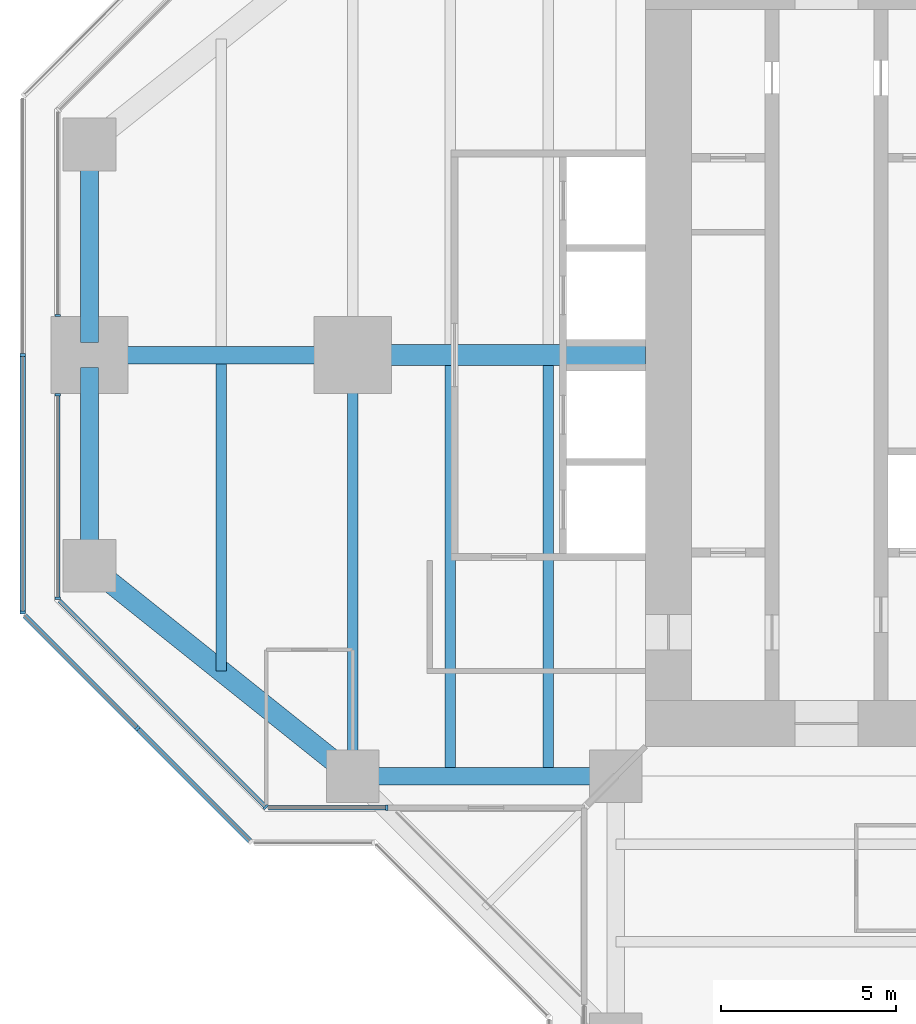
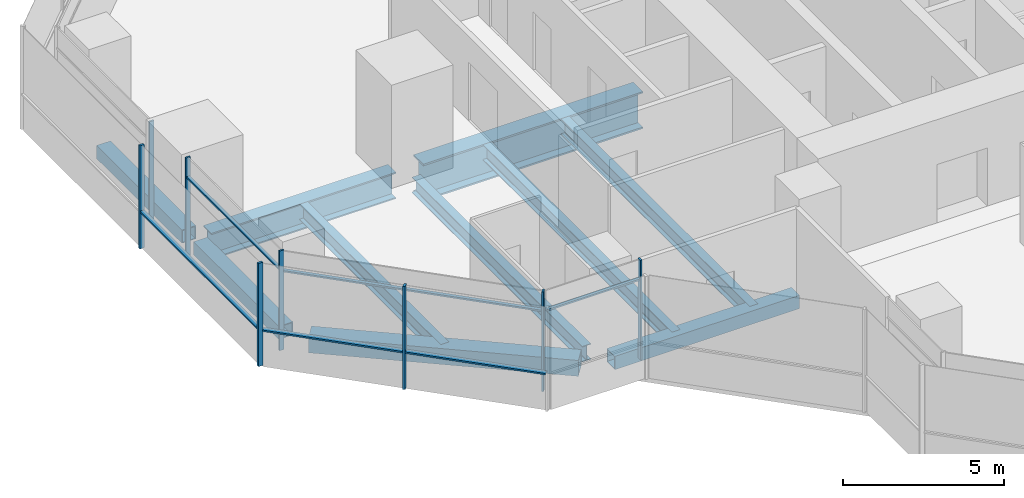
# One storey, part 3 of 17: 14 members, 10 beams, 6 elements without a shape of their own.
"""IFC4 building model written with IfcOpenShell, lengths in metres."""

from ifc_helpers import new_model, si_unit, direction, frame, origin, origin_2d, place, context, subcontext, project, spatial, rectangle, hollow_rectangle, i_section, extrude, material, material_profile, profile_set, type_object, element, aggregate, save


model = new_model("IFC4")

# Units and contexts
model_context = context("Model", 3, precision=1e-05, world=origin(), true_north=direction((0.0, 1.0)))
body_context = subcontext(model_context, "Body", "Model", "MODEL_VIEW")
ifc_project = project(units=[si_unit("LENGTHUNIT", "METRE"), si_unit("AREAUNIT", "SQUARE_METRE"), si_unit("VOLUMEUNIT", "CUBIC_METRE"), si_unit("PLANEANGLEUNIT", "RADIAN"), si_unit("MASSUNIT", "GRAM", prefix="KILO")], contexts=[model_context])

# Site, building, storey
site_placement = place(None, origin())
site = spatial("IfcSite", under=ifc_project, at=site_placement, CompositionType="ELEMENT")
building_placement = place(site_placement, origin())
building = spatial("IfcBuilding", under=site, at=building_placement, Name="Mizan Broadcast Tower", CompositionType="ELEMENT")
storey_placement = place(building_placement, frame((0.0, 0.0, 255.60009765625)))
storey = spatial("IfcBuildingStorey", under=building, at=storey_placement, Name="L60", CompositionType="ELEMENT", Elevation=255.60009765625)

# Beams
ifc_material_1 = material(Name="Steel S355", Category="steel")
ifc_material_profile_1 = material_profile(ifc_material_1, hollow_rectangle(XDim=0.5, YDim=0.5, WallThickness=0.030029296875, at=origin_2d()), Name="BOX 500x500x30")
ifc_profile_set_1 = profile_set([ifc_material_profile_1], Name="Steel S355")
beam_type_1 = type_object("IfcBeamType", Name="EDGE BEAM BOX 500x500x30", PredefinedType="SPANDREL", material=ifc_profile_set_1)
beam_1_placement = place(storey_placement, frame((-27.0, 5.639892578125, -0.380126953125), z_axis=(0.0, -1.0, 0.0), x_axis=(1.0, 0.0, 0.0)))
element("IfcBeam", 1, at=beam_1_placement, inside=storey, type_object=beam_type_1, Name="Edge beam BOX 500x500x30 L60 west arm", PredefinedType="SPANDREL", context=body_context, shape_type="SweptSolid", body=[
    extrude(hollow_rectangle(XDim=0.5, YDim=0.5, WallThickness=0.030029296875, at=origin_2d()), origin(), (0.0, 0.0, 1.0), 5.27978515625),
])
beam_2_placement = place(storey_placement, frame((-12.449951171875, -12.0, -0.380126953125), z_axis=(-1.0, 0.0, 0.0), x_axis=(0.0, -1.0, 0.0)))
element("IfcBeam", 2, at=beam_2_placement, inside=storey, type_object=beam_type_1, Name="Edge beam BOX 500x500x30 L60 west arm", PredefinedType="SPANDREL", context=body_context, shape_type="SweptSolid", body=[
    extrude(hollow_rectangle(XDim=0.5, YDim=0.5, WallThickness=0.030029296875, at=origin_2d()), origin(), (0.0, 0.0, 1.0), 6.60009765625),
])
beam_3_placement = place(storey_placement, frame((-27.0, -5.639892578125, -0.380126953125), z_axis=(0.0, 1.0, 0.0), x_axis=(-1.0, 0.0, 0.0)))
element("IfcBeam", 3, at=beam_3_placement, inside=storey, type_object=beam_type_1, Name="Edge beam BOX 500x500x30 L60 west arm", PredefinedType="SPANDREL", context=body_context, shape_type="SweptSolid", body=[
    extrude(hollow_rectangle(XDim=0.5, YDim=0.5, WallThickness=0.030029296875, at=origin_2d()), origin(), (0.0, 0.0, 1.0), 5.27978515625),
])
ifc_material_2 = material(Name="Steel S355", Category="steel")
ifc_material_profile_2 = material_profile(ifc_material_2, hollow_rectangle(XDim=0.60009765625, YDim=0.60009765625, WallThickness=0.030029296875, at=origin_2d()), Name="BOX 600x600x30")
ifc_profile_set_2 = profile_set([ifc_material_profile_2], Name="Steel S355")
beam_type_2 = type_object("IfcBeamType", Name="EDGE BEAM BOX 600x600x30", PredefinedType="SPANDREL", material=ifc_profile_set_2)
beam_4_placement = place(storey_placement, frame((-19.949951171875, -11.639892578125, -0.43017578125), z_axis=(-0.780885717636, 0.624673911726, 0.0), x_axis=(-0.624673911726, -0.780885717636, 0.0)))
element("IfcBeam", 4, at=beam_4_placement, inside=storey, type_object=beam_type_2, Name="Edge beam BOX 600x600x30 L60 west arm", PredefinedType="SPANDREL", context=body_context, shape_type="SweptSolid", body=[
    extrude(hollow_rectangle(XDim=0.60009765625, YDim=0.60009765625, WallThickness=0.030029296875, at=origin_2d()), origin(), (0.0, 0.0, 1.0), 8.4521484375),
])
ifc_material_3 = material(Name="Steel S355", Category="steel")
ifc_material_profile_3 = material_profile(ifc_material_3, i_section(OverallWidth=0.300048828125, OverallDepth=0.590087890625, WebThickness=0.012939453125, FlangeThickness=0.02490234375, FilletRadius=0.027099609375, at=origin_2d()), Name="HEA 600")
ifc_profile_set_3 = profile_set([ifc_material_profile_3], Name="Steel S355")
beam_type_3 = type_object("IfcBeamType", Name="GIRDER HEA 600", PredefinedType="BEAM", material=ifc_profile_set_3)
beam_5_placement = place(storey_placement, frame((-19.5, -11.280029296875, -0.425048828125), z_axis=(0.0, 1.0, 0.0), x_axis=(-1.0, 0.0, 0.0)))
element("IfcBeam", 5, at=beam_5_placement, inside=storey, type_object=beam_type_3, Name="Girder HEA 600 L60 west arm", PredefinedType="BEAM", context=body_context, shape_type="SweptSolid", body=[
    extrude(i_section(OverallWidth=0.300048828125, OverallDepth=0.590087890625, WebThickness=0.012939453125, FlangeThickness=0.02490234375, FilletRadius=0.027099609375, at=origin_2d()), origin(), (0.0, 0.0, 1.0), 10.56005859375),
])
ifc_material_4 = material(Name="Steel S460", Category="steel")
ifc_material_profile_4 = material_profile(ifc_material_4, i_section(OverallWidth=0.5, OverallDepth=1.0, WebThickness=0.02490234375, FlangeThickness=0.050048828125, at=origin_2d()), Name="WPG 1000x500")
ifc_profile_set_4 = profile_set([ifc_material_profile_4], Name="Steel S460")
beam_type_4 = type_object("IfcBeamType", Name="GIRDER WPG 1000x500", PredefinedType="BEAM", material=ifc_profile_set_4)
beam_6_placement = place(storey_placement, frame((-19.949951171875, 0.0, -0.630126953125), z_axis=(-1.0, 0.0, 0.0), x_axis=(0.0, -1.0, 0.0)))
element("IfcBeam", 6, at=beam_6_placement, inside=storey, type_object=beam_type_4, Name="Girder WPG 1000x500 L60 west arm", PredefinedType="BEAM", context=body_context, shape_type="SweptSolid", body=[
    extrude(i_section(OverallWidth=0.5, OverallDepth=1.0, WebThickness=0.02490234375, FlangeThickness=0.050048828125, at=origin_2d()), origin(), (0.0, 0.0, 1.0), 6.60009765625),
])
ifc_material_5 = material(Name="Steel S460", Category="steel")
ifc_material_profile_5 = material_profile(ifc_material_5, i_section(OverallWidth=0.60009765625, OverallDepth=1.39990234375, WebThickness=0.02490234375, FlangeThickness=0.06005859375, at=origin_2d()), Name="WPG 1400x600")
ifc_profile_set_5 = profile_set([ifc_material_profile_5], Name="Steel S460")
beam_type_5 = type_object("IfcBeamType", Name="GIRDER WPG 1400x600", PredefinedType="BEAM", material=ifc_profile_set_5)
beam_7_placement = place(storey_placement, frame((-11.14990234375, 0.0, -0.830078125), z_axis=(-1.0, 0.0, 0.0), x_axis=(0.0, -1.0, 0.0)))
element("IfcBeam", 7, at=beam_7_placement, inside=storey, type_object=beam_type_5, Name="Girder WPG 1400x600 L60 west arm", PredefinedType="BEAM", context=body_context, shape_type="SweptSolid", body=[
    extrude(i_section(OverallWidth=0.60009765625, OverallDepth=1.39990234375, WebThickness=0.02490234375, FlangeThickness=0.06005859375, at=origin_2d()), origin(), (0.0, 0.0, 1.0), 7.84912109375),
])

# Curtain wall, member
ifc_material_6 = material(Name="Aluminium framed glazing", Category="aluminium")
curtain_wall_type_1 = type_object("IfcCurtainWallType", Name="INNER SKIN HIGH ZONE", PredefinedType="USERDEFINED", material=ifc_material_6)
curtain_wall_1_placement = place(storey_placement, origin())
curtain_wall_1 = element("IfcCurtainWall", 8, at=curtain_wall_1_placement, inside=storey, type_object=curtain_wall_type_1, Name="Inner skin high zone L60 W end", ObjectType="INNER SKIN HIGH ZONE", PredefinedType="USERDEFINED")
ifc_material_7 = material(Name="Aluminium, pale anodised", Category="aluminium")
ifc_material_profile_6 = material_profile(ifc_material_7, rectangle(XDim=0.159912109375, YDim=0.06005859375, at=origin_2d()), Name="MULLION 160x60")
ifc_profile_set_6 = profile_set([ifc_material_profile_6], Name="Aluminium, pale anodised")
member_type_1 = type_object("IfcMemberType", Name="INNER SKIN MULLION 60x160", PredefinedType="MULLION", material=ifc_profile_set_6)
member_1_placement = place(storey_placement, frame((-27.89990234375, 1.1298828125, 0.0), z_axis=(0.0, 0.0, 1.0), x_axis=(1.0, 0.0, 0.0)))
member_1 = element("IfcMember", 9, at=member_1_placement, type_object=member_type_1, Name="Inner skin high zone L60 W end mullion 2", PredefinedType="MULLION", context=body_context, shape_type="SweptSolid", body=[
    extrude(rectangle(XDim=0.159912109375, YDim=0.06005859375, at=origin_2d()), origin(), (0.0, 0.0, 1.0), 3.77001953125),
])
aggregate(curtain_wall_1, [member_1])

# Curtain wall, members
curtain_wall_2_placement = place(storey_placement, origin())
curtain_wall_2 = element("IfcCurtainWall", 10, at=curtain_wall_2_placement, inside=storey, type_object=curtain_wall_type_1, Name="Inner skin high zone L60 W end", ObjectType="INNER SKIN HIGH ZONE", PredefinedType="USERDEFINED")
member_2_placement = place(storey_placement, frame((-27.89990234375, -1.1298828125, 0.0), z_axis=(0.0, 0.0, 1.0), x_axis=(1.0, 0.0, 0.0)))
member_2 = element("IfcMember", 11, at=member_2_placement, type_object=member_type_1, Name="Inner skin high zone L60 W end mullion 1", PredefinedType="MULLION", context=body_context, shape_type="SweptSolid", body=[
    extrude(rectangle(XDim=0.159912109375, YDim=0.06005859375, at=origin_2d()), origin(), (0.0, 0.0, 1.0), 3.77001953125),
])
member_3_placement = place(storey_placement, frame((-27.89990234375, -6.928466796875, 0.0), z_axis=(0.0, 0.0, 1.0), x_axis=(1.0, 0.0, 0.0)))
member_3 = element("IfcMember", 12, at=member_3_placement, type_object=member_type_1, Name="Inner skin high zone L60 W end mullion 2", PredefinedType="MULLION", context=body_context, shape_type="SweptSolid", body=[
    extrude(rectangle(XDim=0.159912109375, YDim=0.06005859375, at=origin_2d()), origin(), (0.0, 0.0, 1.0), 3.77001953125),
])

# Curtain wall, member
curtain_wall_3_placement = place(storey_placement, origin())
curtain_wall_3 = element("IfcCurtainWall", 13, at=curtain_wall_3_placement, inside=storey, type_object=curtain_wall_type_1, Name="Inner skin high zone L60 W chamfer", ObjectType="INNER SKIN HIGH ZONE", PredefinedType="USERDEFINED")
member_4_placement = place(storey_placement, frame((-21.979736328125, -12.87890625, 0.0), z_axis=(0.0, 0.0, 1.0), x_axis=(0.707106781187, 0.707106781187, 0.0)))
member_4 = element("IfcMember", 14, at=member_4_placement, type_object=member_type_1, Name="Inner skin high zone L60 W chamfer mullion 2", PredefinedType="MULLION", context=body_context, shape_type="SweptSolid", body=[
    extrude(rectangle(XDim=0.159912109375, YDim=0.06005859375, at=origin_2d()), origin(), (0.0, 0.0, 1.0), 3.77001953125),
])

curtain_wall_4_placement = place(storey_placement, origin())
curtain_wall_4 = element("IfcCurtainWall", 15, at=curtain_wall_4_placement, inside=storey, type_object=curtain_wall_type_1, Name="Inner skin high zone L60 W side", ObjectType="INNER SKIN HIGH ZONE", PredefinedType="USERDEFINED")
member_5_placement = place(storey_placement, frame((-18.530029296875, -12.89990234375, 0.0), z_axis=(0.0, 0.0, 1.0), x_axis=(0.0, 1.0, 0.0)))
member_5 = element("IfcMember", 16, at=member_5_placement, type_object=member_type_1, Name="Inner skin high zone L60 W side mullion 2", PredefinedType="MULLION", context=body_context, shape_type="SweptSolid", body=[
    extrude(rectangle(XDim=0.159912109375, YDim=0.06005859375, at=origin_2d()), origin(), (0.0, 0.0, 1.0), 3.77001953125),
])

# Member
ifc_material_8 = material(Name="Aluminium, pale anodised", Category="aluminium")
ifc_material_profile_7 = material_profile(ifc_material_8, rectangle(XDim=0.1201171875, YDim=0.06005859375, at=origin_2d()), Name="TRANSOM 120x60")
ifc_profile_set_7 = profile_set([ifc_material_profile_7], Name="Aluminium, pale anodised")
member_type_2 = type_object("IfcMemberType", Name="INNER SKIN TRANSOM 60x120", PredefinedType="USERDEFINED", material=ifc_profile_set_7)
member_6_placement = place(storey_placement, frame((-27.89990234375, -1.159912109375, 3.02978515625), z_axis=(0.0, -1.0, 0.0), x_axis=(1.0, 0.0, 0.0)))
member_6 = element("IfcMember", 17, at=member_6_placement, type_object=member_type_2, Name="Inner skin high zone L60 W end transom 1.1", ObjectType="TRANSOM", PredefinedType="USERDEFINED", context=body_context, shape_type="SweptSolid", body=[
    extrude(rectangle(XDim=0.1201171875, YDim=0.06005859375, at=origin_2d()), origin(), (0.0, 0.0, 1.0), 5.73876953125),
])

aggregate(curtain_wall_2, [member_2, member_3, member_6])

member_7_placement = place(storey_placement, frame((-27.857666015625, -7.0009765625, 3.02978515625), z_axis=(0.707106781187, -0.707106781187, 0.0), x_axis=(0.707106781187, 0.707106781187, 0.0)))
member_7 = element("IfcMember", 18, at=member_7_placement, type_object=member_type_2, Name="Inner skin high zone L60 W chamfer transom 1.1", ObjectType="TRANSOM", PredefinedType="USERDEFINED", context=body_context, shape_type="SweptSolid", body=[
    extrude(rectangle(XDim=0.1201171875, YDim=0.06005859375, at=origin_2d()), origin(), (0.0, 0.0, 1.0), 8.28271484375),
])

aggregate(curtain_wall_3, [member_4, member_7])

member_8_placement = place(storey_placement, frame((-21.898681640625, -12.89990234375, 3.02978515625), z_axis=(1.0, 0.0, 0.0), x_axis=(0.0, 1.0, 0.0)))
member_8 = element("IfcMember", 19, at=member_8_placement, type_object=member_type_2, Name="Inner skin high zone L60 W side transom 1.1", ObjectType="TRANSOM", PredefinedType="USERDEFINED", context=body_context, shape_type="SweptSolid", body=[
    extrude(rectangle(XDim=0.1201171875, YDim=0.06005859375, at=origin_2d()), origin(), (0.0, 0.0, 1.0), 3.338623046875),
])

aggregate(curtain_wall_4, [member_5, member_8])

# Curtain wall, members
ifc_material_9 = material(Name="Aluminium framed glazing", Category="aluminium")
curtain_wall_type_2 = type_object("IfcCurtainWallType", Name="OUTER SKIN", PredefinedType="USERDEFINED", material=ifc_material_9)
curtain_wall_5_placement = place(storey_placement, origin())
curtain_wall_5 = element("IfcCurtainWall", 20, at=curtain_wall_5_placement, inside=storey, type_object=curtain_wall_type_2, Name="Outer skin L60 W end", ObjectType="OUTER SKIN", PredefinedType="USERDEFINED")
ifc_material_10 = material(Name="Aluminium, pale anodised", Category="aluminium")
ifc_material_profile_8 = material_profile(ifc_material_10, rectangle(XDim=0.159912109375, YDim=0.080078125, at=origin_2d()), Name="MULLION 160x80")
ifc_profile_set_8 = profile_set([ifc_material_profile_8], Name="Aluminium, pale anodised")
member_type_3 = type_object("IfcMemberType", Name="OUTER SKIN MULLION 80x160", PredefinedType="MULLION", material=ifc_profile_set_8)
member_9_placement = place(storey_placement, frame((-28.89990234375, 0.0, 0.0), z_axis=(0.0, 0.0, 1.0), x_axis=(1.0, 0.0, 0.0)))
member_9 = element("IfcMember", 21, at=member_9_placement, type_object=member_type_3, Name="Outer skin L60 W end mullion 2", PredefinedType="MULLION", context=body_context, shape_type="SweptSolid", body=[
    extrude(rectangle(XDim=0.159912109375, YDim=0.080078125, at=origin_2d()), origin(), (0.0, 0.0, 1.0), 3.89990234375),
])
member_10_placement = place(storey_placement, frame((-28.89990234375, -7.332763671875, 0.0), z_axis=(0.0, 0.0, 1.0), x_axis=(1.0, 0.0, 0.0)))
member_10 = element("IfcMember", 22, at=member_10_placement, type_object=member_type_3, Name="Outer skin L60 W end mullion 3", PredefinedType="MULLION", context=body_context, shape_type="SweptSolid", body=[
    extrude(rectangle(XDim=0.159912109375, YDim=0.080078125, at=origin_2d()), origin(), (0.0, 0.0, 1.0), 3.89990234375),
])

# Curtain wall, member
curtain_wall_6_placement = place(storey_placement, origin())
curtain_wall_6 = element("IfcCurtainWall", 23, at=curtain_wall_6_placement, inside=storey, type_object=curtain_wall_type_2, Name="Outer skin L60 W chamfer", ObjectType="OUTER SKIN", PredefinedType="USERDEFINED")
member_11_placement = place(storey_placement, frame((-25.636474609375, -10.636474609375, 0.0), z_axis=(0.0, 0.0, 1.0), x_axis=(0.707106781187, 0.707106781187, 0.0)))
member_11 = element("IfcMember", 24, at=member_11_placement, type_object=member_type_3, Name="Outer skin L60 W chamfer mullion 2", PredefinedType="MULLION", context=body_context, shape_type="SweptSolid", body=[
    extrude(rectangle(XDim=0.159912109375, YDim=0.080078125, at=origin_2d()), origin(), (0.0, 0.0, 1.0), 3.89990234375),
])

# Member
ifc_material_11 = material(Name="Aluminium, pale anodised", Category="aluminium")
ifc_material_profile_9 = material_profile(ifc_material_11, rectangle(XDim=0.159912109375, YDim=0.06005859375, at=origin_2d()), Name="TRANSOM 160x60")
ifc_profile_set_9 = profile_set([ifc_material_profile_9], Name="Aluminium, pale anodised")
member_type_4 = type_object("IfcMemberType", Name="OUTER SKIN TRANSOM 60x160", PredefinedType="USERDEFINED", material=ifc_profile_set_9)
member_12_placement = place(storey_placement, frame((-28.89990234375, -0.0400390625, 1.39990234375), z_axis=(0.0, -1.0, 0.0), x_axis=(1.0, 0.0, 0.0)))
member_12 = element("IfcMember", 25, at=member_12_placement, type_object=member_type_4, Name="Outer skin L60 W end transom 2.1", ObjectType="TRANSOM", PredefinedType="USERDEFINED", context=body_context, shape_type="SweptSolid", body=[
    extrude(rectangle(XDim=0.159912109375, YDim=0.06005859375, at=origin_2d()), origin(), (0.0, 0.0, 1.0), 7.252685546875),
])

aggregate(curtain_wall_5, [member_9, member_10, member_12])

member_13_placement = place(storey_placement, frame((-28.843505859375, -7.429443359375, 1.39990234375), z_axis=(0.707106781187, -0.707106781187, 0.0), x_axis=(0.707106781187, 0.707106781187, 0.0)))
member_13 = element("IfcMember", 26, at=member_13_placement, type_object=member_type_4, Name="Outer skin L60 W chamfer transom 1.1", ObjectType="TRANSOM", PredefinedType="USERDEFINED", context=body_context, shape_type="SweptSolid", body=[
    extrude(rectangle(XDim=0.159912109375, YDim=0.06005859375, at=origin_2d()), origin(), (0.0, 0.0, 1.0), 4.495361328125),
])

member_14_placement = place(storey_placement, frame((-25.608154296875, -10.664794921875, 1.39990234375), z_axis=(0.707106781187, -0.707106781187, 0.0), x_axis=(0.707106781187, 0.707106781187, 0.0)))
member_14 = element("IfcMember", 27, at=member_14_placement, type_object=member_type_4, Name="Outer skin L60 W chamfer transom 2.1", ObjectType="TRANSOM", PredefinedType="USERDEFINED", context=body_context, shape_type="SweptSolid", body=[
    extrude(rectangle(XDim=0.159912109375, YDim=0.06005859375, at=origin_2d()), origin(), (0.0, 0.0, 1.0), 4.495361328125),
])

aggregate(curtain_wall_6, [member_11, member_13, member_14])

# Beams
ifc_material_12 = material(Name="Steel S355", Category="steel")
ifc_material_profile_10 = material_profile(ifc_material_12, i_section(OverallWidth=0.300048828125, OverallDepth=0.590087890625, WebThickness=0.012939453125, FlangeThickness=0.02490234375, FilletRadius=0.027099609375, at=origin_2d()), Name="HEA 600")
ifc_profile_set_10 = profile_set([ifc_material_profile_10], Name="Steel S355")
beam_type_6 = type_object("IfcBeamType", Name="SECONDARY BEAM HEA 600", PredefinedType="JOIST", material=ifc_profile_set_10)
for number, where, z_axis, x_axis, name in (
    (28, (-13.933349609375, -12.0, -0.425048828125), (0.0, 1.0, 0.0), (-1.0, 0.0, 0.0), "Secondary beam HEA 600 L60 west arm"),
    (29, (-16.716552734375, -12.0, -0.425048828125), (0.0, 1.0, 0.0), (-1.0, 0.0, 0.0), "Secondary beam HEA 600 L60 west arm"),
):
    element("IfcBeam", number, at=place(storey_placement, frame(where, z_axis=z_axis, x_axis=x_axis)), inside=storey, type_object=beam_type_6, Name=name, PredefinedType="JOIST", context=body_context, shape_type="SweptSolid", body=[
        extrude(i_section(OverallWidth=0.300048828125, OverallDepth=0.590087890625, WebThickness=0.012939453125, FlangeThickness=0.02490234375, FilletRadius=0.027099609375, at=origin_2d()), origin(), (0.0, 0.0, 1.0), 11.699951171875),
    ])
beam_8_placement = place(storey_placement, frame((-23.25, -9.0, -0.425048828125), z_axis=(0.0, 1.0, 0.0), x_axis=(-1.0, 0.0, 0.0)))
element("IfcBeam", 30, at=beam_8_placement, inside=storey, type_object=beam_type_6, Name="Secondary beam HEA 600 L60 west arm", PredefinedType="JOIST", context=body_context, shape_type="SweptSolid", body=[
    extrude(i_section(OverallWidth=0.300048828125, OverallDepth=0.590087890625, WebThickness=0.012939453125, FlangeThickness=0.02490234375, FilletRadius=0.027099609375, at=origin_2d()), origin(), (0.0, 0.0, 1.0), 8.75),
])

save(model, "model.ifc")
